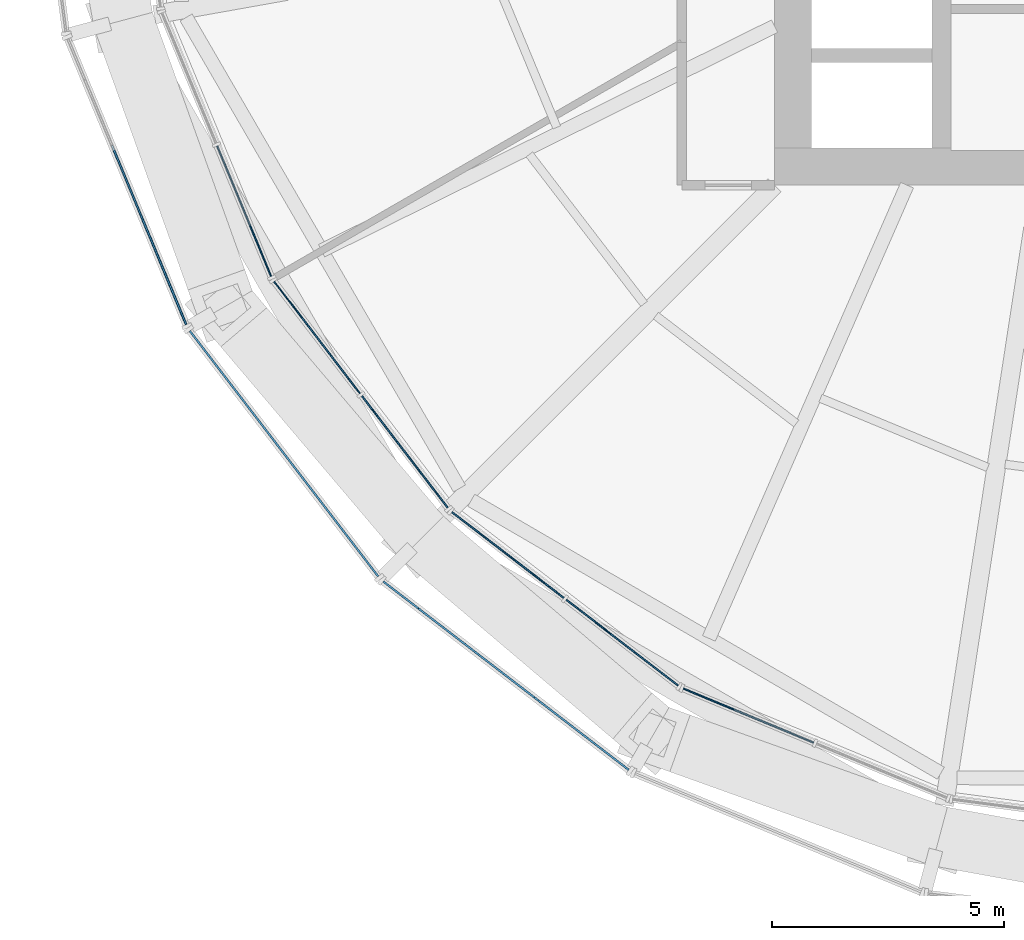
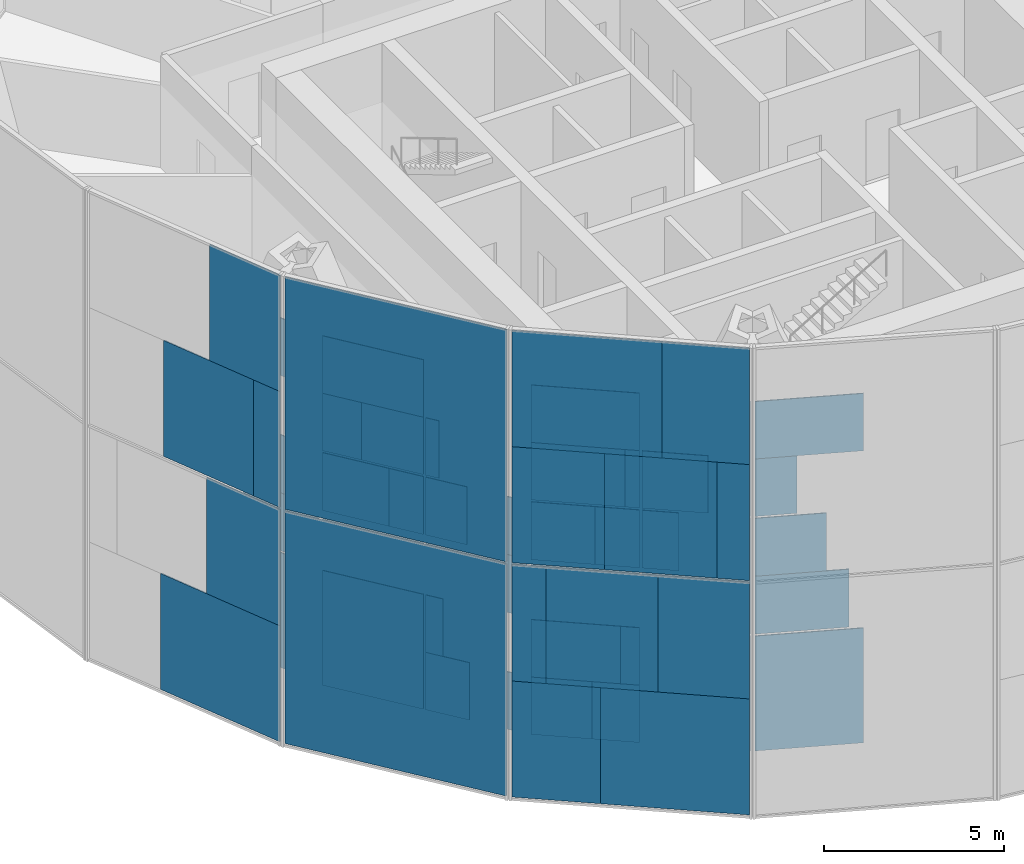
# One storey, part 11 of 26: 62 plates, 7 elements without a shape of their own.
"""IFC4 building model written with IfcOpenShell, lengths in metres."""

from ifc_helpers import new_model, si_unit, direction, frame, origin, origin_2d, place, context, subcontext, project, spatial, rectangle, extrude, material, layer, layer_set, type_object, element, aggregate, save


model = new_model("IFC4")

# Units and contexts
model_context = context("Model", 3, precision=1e-05, world=origin(), true_north=direction((0.0, 1.0)))
body_context = subcontext(model_context, "Body", "Model", "MODEL_VIEW")
ifc_project = project(units=[si_unit("LENGTHUNIT", "METRE"), si_unit("AREAUNIT", "SQUARE_METRE"), si_unit("VOLUMEUNIT", "CUBIC_METRE"), si_unit("PLANEANGLEUNIT", "RADIAN"), si_unit("MASSUNIT", "GRAM", prefix="KILO")], contexts=[model_context])

# Site, building, storey
site_placement = place(None, origin())
site = spatial("IfcSite", under=ifc_project, at=site_placement, CompositionType="ELEMENT")
building_placement = place(site_placement, origin())
building = spatial("IfcBuilding", under=site, at=building_placement, Name="Golbaran Civic Tower", CompositionType="ELEMENT")
storey_placement = place(building_placement, frame((0.0, 0.0, 69.0)))
storey = spatial("IfcBuildingStorey", under=building, at=storey_placement, Name="L16", CompositionType="ELEMENT", Elevation=69.0)

# Curtain wall, plates
ifc_material_1 = material(Name="Aluminium and glass", Category="aluminium")
curtain_wall_type_1 = type_object("IfcCurtainWallType", Name="INNER SKIN CURTAIN WALL", PredefinedType="NOTDEFINED", material=ifc_material_1)
curtain_wall_1_placement = place(storey_placement, origin())
curtain_wall_1 = element("IfcCurtainWall", 1, at=curtain_wall_1_placement, inside=storey, type_object=curtain_wall_type_1, Name="Inner skin L16 facet 14 CW1", ObjectType="INNER SKIN", PredefinedType="USERDEFINED")
ifc_material_2 = material(Name="Clear insulating glass", Category="glass")
ifc_layer_1 = layer(ifc_material_2, 0.031982421875, Name="Clear insulating glass")
ifc_layer_set_1 = layer_set([ifc_layer_1], Name="Clear insulating glass")
plate_type_1 = type_object("IfcPlateType", Name="INNER SKIN CURTAIN WALL GLAZED PANEL", PredefinedType="CURTAIN_PANEL", material=ifc_layer_set_1)
plate_1_placement = place(storey_placement, frame((-21.4375, -10.561279296875, 0.06494140625), z_axis=(0.0, 0.0, 1.0), x_axis=(0.382683432446, -0.923879532478, 0.0)))
plate_1 = element("IfcPlate", 2, at=plate_1_placement, type_object=plate_type_1, Name="CW1 panel 2.1", PredefinedType="CURTAIN_PANEL", context=body_context, shape_type="SweptSolid", body=[
    extrude(rectangle(XDim=3.0419921875, YDim=0.031982421875, at=origin_2d()), origin(), (0.0, 0.0, 1.0), 3.902587890625),
])
plate_2_placement = place(storey_placement, frame((-21.36083984375, -10.746337890625, 4.03271484375), z_axis=(0.0, 0.0, 1.0), x_axis=(0.382683432446, -0.923879532478, 0.0)))
plate_2 = element("IfcPlate", 3, at=plate_2_placement, type_object=plate_type_1, Name="CW1 panel 2.2 part 2", PredefinedType="CURTAIN_PANEL", context=body_context, shape_type="SweptSolid", body=[
    extrude(rectangle(XDim=2.64111328125, YDim=0.031982421875, at=origin_2d()), origin(), (0.0, 0.0, 1.0), 1.967529296875),
])
plate_3_placement = place(storey_placement, frame((-21.23876953125, -11.041259765625, 6.0), z_axis=(0.0, 0.0, 1.0), x_axis=(0.382683432446, -0.923879532478, 0.0)))
plate_3 = element("IfcPlate", 4, at=plate_3_placement, type_object=plate_type_1, Name="CW1 panel 2.2 part 4", PredefinedType="CURTAIN_PANEL", context=body_context, shape_type="SweptSolid", body=[
    extrude(rectangle(XDim=2.0029296875, YDim=0.031982421875, at=origin_2d()), origin(), (0.0, 0.0, 1.0), 1.967529296875),
])
plate_4_placement = place(storey_placement, frame((-21.0810546875, -11.421875, 8.032470703125), z_axis=(0.0, 0.0, 1.0), x_axis=(0.382683432446, -0.923879532478, 0.0)))
plate_4 = element("IfcPlate", 5, at=plate_4_placement, type_object=plate_type_1, Name="CW1 panel 2.3 part 2", PredefinedType="CURTAIN_PANEL", context=body_context, shape_type="SweptSolid", body=[
    extrude(rectangle(XDim=1.178955078125, YDim=0.031982421875, at=origin_2d()), origin(), (0.0, 0.0, 1.0), 1.951171875),
])

curtain_wall_2_placement = place(storey_placement, origin())
curtain_wall_2 = element("IfcCurtainWall", 6, at=curtain_wall_2_placement, inside=storey, type_object=curtain_wall_type_1, Name="Inner skin L16 facet 15 CW1", ObjectType="INNER SKIN", PredefinedType="USERDEFINED")
plate_5_placement = place(storey_placement, frame((-19.864990234375, -13.28466796875, 0.06494140625), z_axis=(0.0, 0.0, 1.0), x_axis=(0.608761428967, -0.793353340323, 0.0)))
plate_5 = element("IfcPlate", 7, at=plate_5_placement, type_object=plate_type_1, Name="CW1 panel 1.1", PredefinedType="CURTAIN_PANEL", context=body_context, shape_type="SweptSolid", body=[
    extrude(rectangle(XDim=3.0419921875, YDim=0.031982421875, at=origin_2d()), origin(), (0.0, 0.0, 1.0), 3.902587890625),
])
plate_6_placement = place(storey_placement, frame((-19.987060546875, -13.125732421875, 4.03271484375), z_axis=(0.0, 0.0, 1.0), x_axis=(0.608761428967, -0.793353340323, 0.0)))
plate_6 = element("IfcPlate", 8, at=plate_6_placement, type_object=plate_type_1, Name="CW1 panel 1.2 part 1", PredefinedType="CURTAIN_PANEL", context=body_context, shape_type="SweptSolid", body=[
    extrude(rectangle(XDim=2.64111328125, YDim=0.031982421875, at=origin_2d()), origin(), (0.0, 0.0, 1.0), 1.967529296875),
])
plate_7_placement = place(storey_placement, frame((-20.18115234375, -12.87255859375, 6.0), z_axis=(0.0, 0.0, 1.0), x_axis=(0.608761428967, -0.793353340323, 0.0)))
plate_7 = element("IfcPlate", 9, at=plate_7_placement, type_object=plate_type_1, Name="CW1 panel 1.2 part 3", PredefinedType="CURTAIN_PANEL", context=body_context, shape_type="SweptSolid", body=[
    extrude(rectangle(XDim=2.0029296875, YDim=0.031982421875, at=origin_2d()), origin(), (0.0, 0.0, 1.0), 1.967529296875),
])
plate_8_placement = place(storey_placement, frame((-20.43212890625, -12.545654296875, 8.032470703125), z_axis=(0.0, 0.0, 1.0), x_axis=(0.608761428967, -0.793353340323, 0.0)))
plate_8 = element("IfcPlate", 10, at=plate_8_placement, type_object=plate_type_1, Name="CW1 panel 1.3 part 1", PredefinedType="CURTAIN_PANEL", context=body_context, shape_type="SweptSolid", body=[
    extrude(rectangle(XDim=1.178955078125, YDim=0.031982421875, at=origin_2d()), origin(), (0.0, 0.0, 1.0), 1.951171875),
])
plate_9_placement = place(storey_placement, frame((-18.494873046875, -15.0703125, 0.06494140625), z_axis=(0.0, 0.0, 1.0), x_axis=(0.608761428967, -0.793353340323, 0.0)))
plate_9 = element("IfcPlate", 11, at=plate_9_placement, type_object=plate_type_1, Name="CW1 panel 2.1 part 1", PredefinedType="CURTAIN_PANEL", context=body_context, shape_type="SweptSolid", body=[
    extrude(rectangle(XDim=1.3291015625, YDim=0.031982421875, at=origin_2d()), origin(), (0.0, 0.0, 1.0), 1.951171875),
])
plate_10_placement = place(storey_placement, frame((-18.73779296875, -14.753662109375, 2.016357421875), z_axis=(0.0, 0.0, 1.0), x_axis=(0.608761428967, -0.793353340323, 0.0)))
plate_10 = element("IfcPlate", 12, at=plate_10_placement, type_object=plate_type_1, Name="CW1 panel 2.1 part 3", PredefinedType="CURTAIN_PANEL", context=body_context, shape_type="SweptSolid", body=[
    extrude(rectangle(XDim=0.531005859375, YDim=0.031982421875, at=origin_2d()), origin(), (0.0, 0.0, 1.0), 1.951171875),
])
plate_11_placement = place(storey_placement, frame((-17.349609375, -16.56298828125, 4.03271484375), z_axis=(0.0, 0.0, 1.0), x_axis=(0.608761428967, -0.793353340323, 0.0)))
plate_11 = element("IfcPlate", 13, at=plate_11_placement, type_object=plate_type_1, Name="CW1 panel 2.2 part 2", PredefinedType="CURTAIN_PANEL", context=body_context, shape_type="SweptSolid", body=[
    extrude(rectangle(XDim=0.991943359375, YDim=0.031982421875, at=origin_2d()), origin(), (0.0, 0.0, 1.0), 1.967529296875),
])
plate_12_placement = place(storey_placement, frame((-17.594970703125, -16.2431640625, 6.0), z_axis=(0.0, 0.0, 1.0), x_axis=(0.608761428967, -0.793353340323, 0.0)))
plate_12 = element("IfcPlate", 14, at=plate_12_placement, type_object=plate_type_1, Name="CW1 panel 2.2 part 4", PredefinedType="CURTAIN_PANEL", context=body_context, shape_type="SweptSolid", body=[
    extrude(rectangle(XDim=1.798095703125, YDim=0.031982421875, at=origin_2d()), origin(), (0.0, 0.0, 1.0), 1.967529296875),
])

curtain_wall_3_placement = place(storey_placement, origin())
curtain_wall_3 = element("IfcCurtainWall", 15, at=curtain_wall_3_placement, inside=storey, type_object=curtain_wall_type_1, Name="Inner skin L16 facet 16 CW1", ObjectType="INNER SKIN", PredefinedType="USERDEFINED")
plate_13_placement = place(storey_placement, frame((-15.0703125, -18.494873046875, 0.06494140625), z_axis=(0.0, 0.0, 1.0), x_axis=(0.793353340323, -0.608761428967, 0.0)))
plate_13 = element("IfcPlate", 16, at=plate_13_placement, type_object=plate_type_1, Name="CW1 panel 1.1 part 2", PredefinedType="CURTAIN_PANEL", context=body_context, shape_type="SweptSolid", body=[
    extrude(rectangle(XDim=1.3291015625, YDim=0.031982421875, at=origin_2d()), origin(), (0.0, 0.0, 1.0), 1.951171875),
])
plate_14_placement = place(storey_placement, frame((-14.753662109375, -18.73779296875, 2.016357421875), z_axis=(0.0, 0.0, 1.0), x_axis=(0.793353340323, -0.608761428967, 0.0)))
plate_14 = element("IfcPlate", 17, at=plate_14_placement, type_object=plate_type_1, Name="CW1 panel 1.1 part 4", PredefinedType="CURTAIN_PANEL", context=body_context, shape_type="SweptSolid", body=[
    extrude(rectangle(XDim=0.531005859375, YDim=0.031982421875, at=origin_2d()), origin(), (0.0, 0.0, 1.0), 1.951171875),
])
plate_15_placement = place(storey_placement, frame((-16.56298828125, -17.349609375, 4.03271484375), z_axis=(0.0, 0.0, 1.0), x_axis=(0.793353340323, -0.608761428967, 0.0)))
plate_15 = element("IfcPlate", 18, at=plate_15_placement, type_object=plate_type_1, Name="CW1 panel 1.2 part 1", PredefinedType="CURTAIN_PANEL", context=body_context, shape_type="SweptSolid", body=[
    extrude(rectangle(XDim=0.991943359375, YDim=0.031982421875, at=origin_2d()), origin(), (0.0, 0.0, 1.0), 1.967529296875),
])
plate_16_placement = place(storey_placement, frame((-16.242919921875, -17.59521484375, 6.0), z_axis=(0.0, 0.0, 1.0), x_axis=(0.793353340323, -0.608761428967, 0.0)))
plate_16 = element("IfcPlate", 19, at=plate_16_placement, type_object=plate_type_1, Name="CW1 panel 1.2 part 3", PredefinedType="CURTAIN_PANEL", context=body_context, shape_type="SweptSolid", body=[
    extrude(rectangle(XDim=1.799072265625, YDim=0.031982421875, at=origin_2d()), origin(), (0.0, 0.0, 1.0), 1.967529296875),
])
plate_17_placement = place(storey_placement, frame((-15.912841796875, -17.848388671875, 8.032470703125), z_axis=(0.0, 0.0, 1.0), x_axis=(0.793353340323, -0.608761428967, 0.0)))
plate_17 = element("IfcPlate", 20, at=plate_17_placement, type_object=plate_type_1, Name="CW1 panel 1.3 part 1", PredefinedType="CURTAIN_PANEL", context=body_context, shape_type="SweptSolid", body=[
    extrude(rectangle(XDim=2.631103515625, YDim=0.031982421875, at=origin_2d()), origin(), (0.0, 0.0, 1.0), 1.951171875),
])
plate_18_placement = place(storey_placement, frame((-15.749755859375, -17.9736328125, 9.98388671875), z_axis=(0.0, 0.0, 1.0), x_axis=(0.793353340323, -0.608761428967, 0.0)))
plate_18 = element("IfcPlate", 21, at=plate_18_placement, type_object=plate_type_1, Name="CW1 panel 1.3 part 3", PredefinedType="CURTAIN_PANEL", context=body_context, shape_type="SweptSolid", body=[
    extrude(rectangle(XDim=3.0419921875, YDim=0.031982421875, at=origin_2d()), origin(), (0.0, 0.0, 1.0), 1.951171875),
])
plate_19_placement = place(storey_placement, frame((-13.28466796875, -19.864990234375, 0.06494140625), z_axis=(0.0, 0.0, 1.0), x_axis=(0.793353340323, -0.608761428967, 0.0)))
plate_19 = element("IfcPlate", 22, at=plate_19_placement, type_object=plate_type_1, Name="CW1 panel 2.1", PredefinedType="CURTAIN_PANEL", context=body_context, shape_type="SweptSolid", body=[
    extrude(rectangle(XDim=3.0419921875, YDim=0.031982421875, at=origin_2d()), origin(), (0.0, 0.0, 1.0), 3.902587890625),
])
plate_20_placement = place(storey_placement, frame((-13.125732421875, -19.987060546875, 4.03271484375), z_axis=(0.0, 0.0, 1.0), x_axis=(0.793353340323, -0.608761428967, 0.0)))
plate_20 = element("IfcPlate", 23, at=plate_20_placement, type_object=plate_type_1, Name="CW1 panel 2.2 part 2", PredefinedType="CURTAIN_PANEL", context=body_context, shape_type="SweptSolid", body=[
    extrude(rectangle(XDim=2.64111328125, YDim=0.031982421875, at=origin_2d()), origin(), (0.0, 0.0, 1.0), 1.967529296875),
])
plate_21_placement = place(storey_placement, frame((-12.87255859375, -20.18115234375, 6.0), z_axis=(0.0, 0.0, 1.0), x_axis=(0.793353340323, -0.608761428967, 0.0)))
plate_21 = element("IfcPlate", 24, at=plate_21_placement, type_object=plate_type_1, Name="CW1 panel 2.2 part 4", PredefinedType="CURTAIN_PANEL", context=body_context, shape_type="SweptSolid", body=[
    extrude(rectangle(XDim=2.0029296875, YDim=0.031982421875, at=origin_2d()), origin(), (0.0, 0.0, 1.0), 1.967529296875),
])
plate_22_placement = place(storey_placement, frame((-12.545654296875, -20.43212890625, 8.032470703125), z_axis=(0.0, 0.0, 1.0), x_axis=(0.793353340323, -0.608761428967, 0.0)))
plate_22 = element("IfcPlate", 25, at=plate_22_placement, type_object=plate_type_1, Name="CW1 panel 2.3 part 2", PredefinedType="CURTAIN_PANEL", context=body_context, shape_type="SweptSolid", body=[
    extrude(rectangle(XDim=1.178955078125, YDim=0.031982421875, at=origin_2d()), origin(), (0.0, 0.0, 1.0), 1.951171875),
])

curtain_wall_4_placement = place(storey_placement, origin())
curtain_wall_4 = element("IfcCurtainWall", 26, at=curtain_wall_4_placement, inside=storey, type_object=curtain_wall_type_1, Name="Inner skin L16 facet 17 CW1", ObjectType="INNER SKIN", PredefinedType="USERDEFINED")
plate_23_placement = place(storey_placement, frame((-10.561279296875, -21.4375, 0.06494140625), z_axis=(0.0, 0.0, 1.0), x_axis=(0.923879532478, -0.382683432446, 0.0)))
plate_23 = element("IfcPlate", 27, at=plate_23_placement, type_object=plate_type_1, Name="CW1 panel 1.1", PredefinedType="CURTAIN_PANEL", context=body_context, shape_type="SweptSolid", body=[
    extrude(rectangle(XDim=3.0419921875, YDim=0.031982421875, at=origin_2d()), origin(), (0.0, 0.0, 1.0), 3.902587890625),
])
plate_24_placement = place(storey_placement, frame((-10.74658203125, -21.360595703125, 4.03271484375), z_axis=(0.0, 0.0, 1.0), x_axis=(0.923879532478, -0.382683432446, 0.0)))
plate_24 = element("IfcPlate", 28, at=plate_24_placement, type_object=plate_type_1, Name="CW1 panel 1.2 part 1", PredefinedType="CURTAIN_PANEL", context=body_context, shape_type="SweptSolid", body=[
    extrude(rectangle(XDim=2.64111328125, YDim=0.031982421875, at=origin_2d()), origin(), (0.0, 0.0, 1.0), 1.967529296875),
])
plate_25_placement = place(storey_placement, frame((-11.041259765625, -21.238525390625, 6.0), z_axis=(0.0, 0.0, 1.0), x_axis=(0.923879532478, -0.382683432446, 0.0)))
plate_25 = element("IfcPlate", 29, at=plate_25_placement, type_object=plate_type_1, Name="CW1 panel 1.2 part 3", PredefinedType="CURTAIN_PANEL", context=body_context, shape_type="SweptSolid", body=[
    extrude(rectangle(XDim=2.0029296875, YDim=0.031982421875, at=origin_2d()), origin(), (0.0, 0.0, 1.0), 1.967529296875),
])
plate_26_placement = place(storey_placement, frame((-11.421875, -21.0810546875, 8.032470703125), z_axis=(0.0, 0.0, 1.0), x_axis=(0.923879532478, -0.382683432446, 0.0)))
plate_26 = element("IfcPlate", 30, at=plate_26_placement, type_object=plate_type_1, Name="CW1 panel 1.3 part 1", PredefinedType="CURTAIN_PANEL", context=body_context, shape_type="SweptSolid", body=[
    extrude(rectangle(XDim=1.178955078125, YDim=0.031982421875, at=origin_2d()), origin(), (0.0, 0.0, 1.0), 1.951171875),
])

# Plate
ifc_material_3 = material(Name="Aluminium faced opaque infill panel", Category="aluminium")
ifc_layer_2 = layer(ifc_material_3, 0.031982421875, Name="Aluminium faced opaque infill panel")
ifc_layer_set_2 = layer_set([ifc_layer_2], Name="Aluminium faced opaque infill panel")
plate_type_2 = type_object("IfcPlateType", Name="INNER SKIN CURTAIN WALL OPAQUE INFILL PANEL", PredefinedType="CURTAIN_PANEL", material=ifc_layer_set_2)
plate_27_placement = place(storey_placement, frame((-21.4375, -10.561279296875, 9.98388671875), z_axis=(0.0, 0.0, 1.0), x_axis=(0.382683432446, -0.923879532478, 0.0)))
plate_27 = element("IfcPlate", 31, at=plate_27_placement, type_object=plate_type_2, Name="CW1 infill panel 2.3 part 3", PredefinedType="CURTAIN_PANEL", context=body_context, shape_type="SweptSolid", body=[
    extrude(rectangle(XDim=3.0419921875, YDim=0.031982421875, at=origin_2d()), origin(), (0.0, 0.0, 1.0), 1.951171875),
])

aggregate(curtain_wall_1, [plate_1, plate_2, plate_3, plate_4, plate_27])

plate_28_placement = place(storey_placement, frame((-19.06103515625, -14.33251953125, 4.03271484375), z_axis=(0.0, 0.0, 1.0), x_axis=(0.608761428967, -0.793353340323, 0.0)))
plate_28 = element("IfcPlate", 32, at=plate_28_placement, type_object=plate_type_2, Name="CW1 infill panel 1.2 part 2", PredefinedType="CURTAIN_PANEL", context=body_context, shape_type="SweptSolid", body=[
    extrude(rectangle(XDim=0.401123046875, YDim=0.031982421875, at=origin_2d()), origin(), (0.0, 0.0, 1.0), 1.967529296875),
])

plate_29_placement = place(storey_placement, frame((-19.25537109375, -14.079345703125, 6.0), z_axis=(0.0, 0.0, 1.0), x_axis=(0.608761428967, -0.793353340323, 0.0)))
plate_29 = element("IfcPlate", 33, at=plate_29_placement, type_object=plate_type_2, Name="CW1 infill panel 1.2 part 4", PredefinedType="CURTAIN_PANEL", context=body_context, shape_type="SweptSolid", body=[
    extrude(rectangle(XDim=1.0390625, YDim=0.031982421875, at=origin_2d()), origin(), (0.0, 0.0, 1.0), 1.967529296875),
])

plate_30_placement = place(storey_placement, frame((-19.506103515625, -13.75244140625, 8.032470703125), z_axis=(0.0, 0.0, 1.0), x_axis=(0.608761428967, -0.793353340323, 0.0)))
plate_30 = element("IfcPlate", 34, at=plate_30_placement, type_object=plate_type_2, Name="CW1 infill panel 1.3 part 2", PredefinedType="CURTAIN_PANEL", context=body_context, shape_type="SweptSolid", body=[
    extrude(rectangle(XDim=1.863037109375, YDim=0.031982421875, at=origin_2d()), origin(), (0.0, 0.0, 1.0), 1.951171875),
])

plate_31_placement = place(storey_placement, frame((-19.864990234375, -13.28466796875, 9.98388671875), z_axis=(0.0, 0.0, 1.0), x_axis=(0.608761428967, -0.793353340323, 0.0)))
plate_31 = element("IfcPlate", 35, at=plate_31_placement, type_object=plate_type_2, Name="CW1 infill panel 1.3 part 3", PredefinedType="CURTAIN_PANEL", context=body_context, shape_type="SweptSolid", body=[
    extrude(rectangle(XDim=3.0419921875, YDim=0.031982421875, at=origin_2d()), origin(), (0.0, 0.0, 1.0), 1.951171875),
])

plate_32_placement = place(storey_placement, frame((-17.569091796875, -16.27685546875, 0.06494140625), z_axis=(0.0, 0.0, 1.0), x_axis=(0.608761428967, -0.793353340323, 0.0)))
plate_32 = element("IfcPlate", 36, at=plate_32_placement, type_object=plate_type_2, Name="CW1 infill panel 2.1 part 2", PredefinedType="CURTAIN_PANEL", context=body_context, shape_type="SweptSolid", body=[
    extrude(rectangle(XDim=1.713134765625, YDim=0.031982421875, at=origin_2d()), origin(), (0.0, 0.0, 1.0), 1.951171875),
])

plate_33_placement = place(storey_placement, frame((-18.275390625, -15.356201171875, 4.03271484375), z_axis=(0.0, 0.0, 1.0), x_axis=(0.608761428967, -0.793353340323, 0.0)))
plate_33 = element("IfcPlate", 37, at=plate_33_placement, type_object=plate_type_2, Name="CW1 infill panel 2.2 part 1", PredefinedType="CURTAIN_PANEL", context=body_context, shape_type="SweptSolid", body=[
    extrude(rectangle(XDim=2.050048828125, YDim=0.031982421875, at=origin_2d()), origin(), (0.0, 0.0, 1.0), 1.967529296875),
])

plate_34_placement = place(storey_placement, frame((-18.520751953125, -15.03662109375, 6.0), z_axis=(0.0, 0.0, 1.0), x_axis=(0.608761428967, -0.793353340323, 0.0)))
plate_34 = element("IfcPlate", 38, at=plate_34_placement, type_object=plate_type_2, Name="CW1 infill panel 2.2 part 3", PredefinedType="CURTAIN_PANEL", context=body_context, shape_type="SweptSolid", body=[
    extrude(rectangle(XDim=1.243896484375, YDim=0.031982421875, at=origin_2d()), origin(), (0.0, 0.0, 1.0), 1.967529296875),
])

plate_35_placement = place(storey_placement, frame((-18.7744140625, -14.7060546875, 8.032470703125), z_axis=(0.0, 0.0, 1.0), x_axis=(0.608761428967, -0.793353340323, 0.0)))
plate_35 = element("IfcPlate", 39, at=plate_35_placement, type_object=plate_type_2, Name="CW1 infill panel 2.3 part 1", PredefinedType="CURTAIN_PANEL", context=body_context, shape_type="SweptSolid", body=[
    extrude(rectangle(XDim=0.410888671875, YDim=0.031982421875, at=origin_2d()), origin(), (0.0, 0.0, 1.0), 1.951171875),
])

aggregate(curtain_wall_2, [plate_5, plate_6, plate_28, plate_7, plate_29, plate_8, plate_30, plate_31, plate_9, plate_32, plate_10, plate_33, plate_11, plate_34, plate_12, plate_35])

plate_36_placement = place(storey_placement, frame((-16.27685546875, -17.569091796875, 0.06494140625), z_axis=(0.0, 0.0, 1.0), x_axis=(0.793353340323, -0.608761428967, 0.0)))
plate_36 = element("IfcPlate", 40, at=plate_36_placement, type_object=plate_type_2, Name="CW1 infill panel 1.1 part 1", PredefinedType="CURTAIN_PANEL", context=body_context, shape_type="SweptSolid", body=[
    extrude(rectangle(XDim=1.712890625, YDim=0.031982421875, at=origin_2d()), origin(), (0.0, 0.0, 1.0), 1.951171875),
])

plate_37_placement = place(storey_placement, frame((-15.96044921875, -17.81201171875, 2.016357421875), z_axis=(0.0, 0.0, 1.0), x_axis=(0.793353340323, -0.608761428967, 0.0)))
plate_37 = element("IfcPlate", 41, at=plate_37_placement, type_object=plate_type_2, Name="CW1 infill panel 1.1 part 3", PredefinedType="CURTAIN_PANEL", context=body_context, shape_type="SweptSolid", body=[
    extrude(rectangle(XDim=2.510986328125, YDim=0.031982421875, at=origin_2d()), origin(), (0.0, 0.0, 1.0), 1.951171875),
])

plate_38_placement = place(storey_placement, frame((-15.356201171875, -18.275390625, 4.03271484375), z_axis=(0.0, 0.0, 1.0), x_axis=(0.793353340323, -0.608761428967, 0.0)))
plate_38 = element("IfcPlate", 42, at=plate_38_placement, type_object=plate_type_2, Name="CW1 infill panel 1.2 part 2", PredefinedType="CURTAIN_PANEL", context=body_context, shape_type="SweptSolid", body=[
    extrude(rectangle(XDim=2.050048828125, YDim=0.031982421875, at=origin_2d()), origin(), (0.0, 0.0, 1.0), 1.967529296875),
])

plate_39_placement = place(storey_placement, frame((-15.0361328125, -18.521240234375, 6.0), z_axis=(0.0, 0.0, 1.0), x_axis=(0.793353340323, -0.608761428967, 0.0)))
plate_39 = element("IfcPlate", 43, at=plate_39_placement, type_object=plate_type_2, Name="CW1 infill panel 1.2 part 4", PredefinedType="CURTAIN_PANEL", context=body_context, shape_type="SweptSolid", body=[
    extrude(rectangle(XDim=1.2431640625, YDim=0.031982421875, at=origin_2d()), origin(), (0.0, 0.0, 1.0), 1.967529296875),
])

plate_40_placement = place(storey_placement, frame((-14.7060546875, -18.7744140625, 8.032470703125), z_axis=(0.0, 0.0, 1.0), x_axis=(0.793353340323, -0.608761428967, 0.0)))
plate_40 = element("IfcPlate", 44, at=plate_40_placement, type_object=plate_type_2, Name="CW1 infill panel 1.3 part 2", PredefinedType="CURTAIN_PANEL", context=body_context, shape_type="SweptSolid", body=[
    extrude(rectangle(XDim=0.4111328125, YDim=0.031982421875, at=origin_2d()), origin(), (0.0, 0.0, 1.0), 1.951171875),
])

plate_41_placement = place(storey_placement, frame((-14.33251953125, -19.06103515625, 4.03271484375), z_axis=(0.0, 0.0, 1.0), x_axis=(0.793353340323, -0.608761428967, 0.0)))
plate_41 = element("IfcPlate", 45, at=plate_41_placement, type_object=plate_type_2, Name="CW1 infill panel 2.2 part 1", PredefinedType="CURTAIN_PANEL", context=body_context, shape_type="SweptSolid", body=[
    extrude(rectangle(XDim=0.40087890625, YDim=0.031982421875, at=origin_2d()), origin(), (0.0, 0.0, 1.0), 1.967529296875),
])

plate_42_placement = place(storey_placement, frame((-14.079345703125, -19.25537109375, 6.0), z_axis=(0.0, 0.0, 1.0), x_axis=(0.793353340323, -0.608761428967, 0.0)))
plate_42 = element("IfcPlate", 46, at=plate_42_placement, type_object=plate_type_2, Name="CW1 infill panel 2.2 part 3", PredefinedType="CURTAIN_PANEL", context=body_context, shape_type="SweptSolid", body=[
    extrude(rectangle(XDim=1.0390625, YDim=0.031982421875, at=origin_2d()), origin(), (0.0, 0.0, 1.0), 1.967529296875),
])

plate_43_placement = place(storey_placement, frame((-13.75244140625, -19.506103515625, 8.032470703125), z_axis=(0.0, 0.0, 1.0), x_axis=(0.793353340323, -0.608761428967, 0.0)))
plate_43 = element("IfcPlate", 47, at=plate_43_placement, type_object=plate_type_2, Name="CW1 infill panel 2.3 part 1", PredefinedType="CURTAIN_PANEL", context=body_context, shape_type="SweptSolid", body=[
    extrude(rectangle(XDim=1.863037109375, YDim=0.031982421875, at=origin_2d()), origin(), (0.0, 0.0, 1.0), 1.951171875),
])

plate_44_placement = place(storey_placement, frame((-13.28466796875, -19.864990234375, 9.98388671875), z_axis=(0.0, 0.0, 1.0), x_axis=(0.793353340323, -0.608761428967, 0.0)))
plate_44 = element("IfcPlate", 48, at=plate_44_placement, type_object=plate_type_2, Name="CW1 infill panel 2.3 part 3", PredefinedType="CURTAIN_PANEL", context=body_context, shape_type="SweptSolid", body=[
    extrude(rectangle(XDim=3.0419921875, YDim=0.031982421875, at=origin_2d()), origin(), (0.0, 0.0, 1.0), 1.951171875),
])

aggregate(curtain_wall_3, [plate_36, plate_13, plate_37, plate_14, plate_15, plate_38, plate_16, plate_39, plate_17, plate_40, plate_18, plate_19, plate_41, plate_20, plate_42, plate_21, plate_43, plate_22, plate_44])

plate_45_placement = place(storey_placement, frame((-10.561279296875, -21.4375, 9.98388671875), z_axis=(0.0, 0.0, 1.0), x_axis=(0.923879532478, -0.382683432446, 0.0)))
plate_45 = element("IfcPlate", 49, at=plate_45_placement, type_object=plate_type_2, Name="CW1 infill panel 1.3 part 3", PredefinedType="CURTAIN_PANEL", context=body_context, shape_type="SweptSolid", body=[
    extrude(rectangle(XDim=3.0419921875, YDim=0.031982421875, at=origin_2d()), origin(), (0.0, 0.0, 1.0), 1.951171875),
])

aggregate(curtain_wall_4, [plate_23, plate_24, plate_25, plate_26, plate_45])

# Curtain wall, plates
curtain_wall_type_2 = type_object("IfcCurtainWallType", Name="OUTER SKIN TERRACOTTA SCREEN", PredefinedType="NOTDEFINED", material=ifc_material_1)
curtain_wall_5_placement = place(storey_placement, origin())
curtain_wall_5 = element("IfcCurtainWall", 50, at=curtain_wall_5_placement, inside=storey, type_object=curtain_wall_type_2, Name="Outer skin L16 facet 14 CW3", ObjectType="OUTER SKIN", PredefinedType="USERDEFINED")
ifc_material_4 = material(Name="Clear laminated glass", Category="glass")
ifc_layer_3 = layer(ifc_material_4, 0.0400390625, Name="Clear laminated glass")
ifc_layer_set_3 = layer_set([ifc_layer_3], Name="Clear laminated glass")
plate_type_3 = type_object("IfcPlateType", Name="OUTER SKIN CLEAR GLASS PANEL", PredefinedType="CURTAIN_PANEL", material=ifc_layer_set_3)
plate_46_placement = place(storey_placement, frame((-23.48681640625, -11.074951171875, -0.6298828125), z_axis=(0.0, 0.0, 1.0), x_axis=(0.382683432478, -0.923879532465, 0.0)))
plate_46 = element("IfcPlate", 51, at=plate_46_placement, type_object=plate_type_3, Name="CW3 panel 1.1 part 2", PredefinedType="CURTAIN_PANEL", context=body_context, shape_type="SweptSolid", body=[
    extrude(rectangle(XDim=4.181396484375, YDim=0.0400390625, at=origin_2d()), origin(), (0.0, 0.0, 1.0), 3.93994140625),
])
plate_47_placement = place(storey_placement, frame((-23.177978515625, -11.820556640625, 3.31005859375), z_axis=(0.0, 0.0, 1.0), x_axis=(0.382683432478, -0.923879532465, 0.0)))
plate_47 = element("IfcPlate", 52, at=plate_47_placement, type_object=plate_type_3, Name="CW3 panel 1.1 part 5", PredefinedType="CURTAIN_PANEL", context=body_context, shape_type="SweptSolid", body=[
    extrude(rectangle(XDim=2.5673828125, YDim=0.0400390625, at=origin_2d()), origin(), (0.0, 0.0, 1.0), 3.93994140625),
])
plate_48_placement = place(storey_placement, frame((-22.86279296875, -12.58154296875, 7.330078125), z_axis=(0.0, 0.0, 1.0), x_axis=(0.382683432478, -0.923879532465, 0.0)))
plate_48 = element("IfcPlate", 53, at=plate_48_placement, type_object=plate_type_3, Name="CW3 panel 1.2 part 3", PredefinedType="CURTAIN_PANEL", context=body_context, shape_type="SweptSolid", body=[
    extrude(rectangle(XDim=0.92041015625, YDim=0.0400390625, at=origin_2d()), origin(), (0.0, 0.0, 1.0), 3.93994140625),
])

curtain_wall_6_placement = place(storey_placement, origin())
curtain_wall_6 = element("IfcCurtainWall", 54, at=curtain_wall_6_placement, inside=storey, type_object=curtain_wall_type_2, Name="Outer skin L16 facet 16 CW3", ObjectType="OUTER SKIN", PredefinedType="USERDEFINED")
plate_49_placement = place(storey_placement, frame((-14.802734375, -21.334716796875, -0.6298828125), z_axis=(0.0, 0.0, 1.0), x_axis=(0.793353340366, -0.608761428912, 0.0)))
plate_49 = element("IfcPlate", 55, at=plate_49_placement, type_object=plate_type_3, Name="CW3 panel 1.1 part 2", PredefinedType="CURTAIN_PANEL", context=body_context, shape_type="SweptSolid", body=[
    extrude(rectangle(XDim=4.181396484375, YDim=0.0400390625, at=origin_2d()), origin(), (0.0, 0.0, 1.0), 3.93994140625),
])
plate_50_placement = place(storey_placement, frame((-18.056396484375, -18.837890625, 3.31005859375), z_axis=(0.0, 0.0, 1.0), x_axis=(0.793353340366, -0.608761428912, 0.0)))
plate_50 = element("IfcPlate", 56, at=plate_50_placement, type_object=plate_type_3, Name="CW3 panel 1.1 part 3", PredefinedType="CURTAIN_PANEL", context=body_context, shape_type="SweptSolid", body=[
    extrude(rectangle(XDim=0.955078125, YDim=0.0400390625, at=origin_2d()), origin(), (0.0, 0.0, 1.0), 3.93994140625),
])
plate_51_placement = place(storey_placement, frame((-14.162353515625, -21.825927734375, 3.31005859375), z_axis=(0.0, 0.0, 1.0), x_axis=(0.793353340366, -0.608761428912, 0.0)))
plate_51 = element("IfcPlate", 57, at=plate_51_placement, type_object=plate_type_3, Name="CW3 panel 1.1 part 5", PredefinedType="CURTAIN_PANEL", context=body_context, shape_type="SweptSolid", body=[
    extrude(rectangle(XDim=2.5673828125, YDim=0.0400390625, at=origin_2d()), origin(), (0.0, 0.0, 1.0), 3.93994140625),
])
plate_52_placement = place(storey_placement, frame((-17.404541015625, -19.338134765625, 7.330078125), z_axis=(0.0, 0.0, 1.0), x_axis=(0.793353340366, -0.608761428912, 0.0)))
plate_52 = element("IfcPlate", 58, at=plate_52_placement, type_object=plate_type_3, Name="CW3 panel 1.2 part 1", PredefinedType="CURTAIN_PANEL", context=body_context, shape_type="SweptSolid", body=[
    extrude(rectangle(XDim=2.597900390625, YDim=0.0400390625, at=origin_2d()), origin(), (0.0, 0.0, 1.0), 3.93994140625),
])
plate_53_placement = place(storey_placement, frame((-13.509033203125, -22.3271484375, 7.330078125), z_axis=(0.0, 0.0, 1.0), x_axis=(0.793353340366, -0.608761428912, 0.0)))
plate_53 = element("IfcPlate", 59, at=plate_53_placement, type_object=plate_type_3, Name="CW3 panel 1.2 part 3", PredefinedType="CURTAIN_PANEL", context=body_context, shape_type="SweptSolid", body=[
    extrude(rectangle(XDim=0.92041015625, YDim=0.0400390625, at=origin_2d()), origin(), (0.0, 0.0, 1.0), 3.93994140625),
])
plate_54_placement = place(storey_placement, frame((-16.765625, -19.828369140625, 11.27001953125), z_axis=(0.0, 0.0, 1.0), x_axis=(0.793353340366, -0.608761428912, 0.0)))
plate_54 = element("IfcPlate", 60, at=plate_54_placement, type_object=plate_type_3, Name="CW3 panel 1.2 part 4", PredefinedType="CURTAIN_PANEL", context=body_context, shape_type="SweptSolid", body=[
    extrude(rectangle(XDim=4.208984375, YDim=0.0400390625, at=origin_2d()), origin(), (0.0, 0.0, 1.0), 3.93994140625),
])

# Plate
ifc_material_5 = material(Name="Terracotta baguette screen", Category="masonry")
ifc_layer_4 = layer(ifc_material_5, 0.0400390625, Name="Terracotta baguette screen")
ifc_layer_set_4 = layer_set([ifc_layer_4], Name="Terracotta baguette screen")
plate_type_4 = type_object("IfcPlateType", Name="OUTER SKIN TERRACOTTA INFILL PANEL", PredefinedType="CURTAIN_PANEL", material=ifc_layer_set_4)
plate_55_placement = place(storey_placement, frame((-23.641845703125, -10.70068359375, 7.330078125), z_axis=(0.0, 0.0, 1.0), x_axis=(0.382683432478, -0.923879532465, 0.0)))
plate_55 = element("IfcPlate", 61, at=plate_55_placement, type_object=plate_type_4, Name="CW3 infill panel 1.2 part 2", PredefinedType="CURTAIN_PANEL", context=body_context, shape_type="SweptSolid", body=[
    extrude(rectangle(XDim=3.15087890625, YDim=0.0400390625, at=origin_2d()), origin(), (0.0, 0.0, 1.0), 3.93994140625),
])

plate_56_placement = place(storey_placement, frame((-23.157470703125, -11.8701171875, 11.27001953125), z_axis=(0.0, 0.0, 1.0), x_axis=(0.382683432478, -0.923879532465, 0.0)))
plate_56 = element("IfcPlate", 62, at=plate_56_placement, type_object=plate_type_4, Name="CW3 infill panel 1.2 part 5", PredefinedType="CURTAIN_PANEL", context=body_context, shape_type="SweptSolid", body=[
    extrude(rectangle(XDim=2.46044921875, YDim=0.0400390625, at=origin_2d()), origin(), (0.0, 0.0, 1.0), 3.93994140625),
])

aggregate(curtain_wall_5, [plate_46, plate_47, plate_55, plate_48, plate_56])

plate_57_placement = place(storey_placement, frame((-17.4482421875, -19.3046875, -0.6298828125), z_axis=(0.0, 0.0, 1.0), x_axis=(0.793353340366, -0.608761428912, 0.0)))
plate_57 = element("IfcPlate", 63, at=plate_57_placement, type_object=plate_type_4, Name="CW3 infill panel 1.1 part 1", PredefinedType="CURTAIN_PANEL", context=body_context, shape_type="SweptSolid", body=[
    extrude(rectangle(XDim=2.488037109375, YDim=0.0400390625, at=origin_2d()), origin(), (0.0, 0.0, 1.0), 3.93994140625),
])

plate_58_placement = place(storey_placement, frame((-16.42919921875, -20.086669921875, 3.31005859375), z_axis=(0.0, 0.0, 1.0), x_axis=(0.793353340366, -0.608761428912, 0.0)))
plate_58 = element("IfcPlate", 64, at=plate_58_placement, type_object=plate_type_4, Name="CW3 infill panel 1.1 part 4", PredefinedType="CURTAIN_PANEL", context=body_context, shape_type="SweptSolid", body=[
    extrude(rectangle(XDim=3.14697265625, YDim=0.0400390625, at=origin_2d()), origin(), (0.0, 0.0, 1.0), 3.93994140625),
])

plate_59_placement = place(storey_placement, frame((-15.1240234375, -21.087890625, 7.330078125), z_axis=(0.0, 0.0, 1.0), x_axis=(0.793353340366, -0.608761428912, 0.0)))
plate_59 = element("IfcPlate", 65, at=plate_59_placement, type_object=plate_type_4, Name="CW3 infill panel 1.2 part 2", PredefinedType="CURTAIN_PANEL", context=body_context, shape_type="SweptSolid", body=[
    extrude(rectangle(XDim=3.15087890625, YDim=0.0400390625, at=origin_2d()), origin(), (0.0, 0.0, 1.0), 3.93994140625),
])

plate_60_placement = place(storey_placement, frame((-14.119873046875, -21.8583984375, 11.27001953125), z_axis=(0.0, 0.0, 1.0), x_axis=(0.793353340366, -0.608761428912, 0.0)))
plate_60 = element("IfcPlate", 66, at=plate_60_placement, type_object=plate_type_4, Name="CW3 infill panel 1.2 part 5", PredefinedType="CURTAIN_PANEL", context=body_context, shape_type="SweptSolid", body=[
    extrude(rectangle(XDim=2.46044921875, YDim=0.0400390625, at=origin_2d()), origin(), (0.0, 0.0, 1.0), 3.93994140625),
])

aggregate(curtain_wall_6, [plate_57, plate_49, plate_50, plate_58, plate_51, plate_52, plate_59, plate_53, plate_54, plate_60])

# Curtain wall, plates
curtain_wall_7_placement = place(storey_placement, origin())
curtain_wall_7 = element("IfcCurtainWall", 67, at=curtain_wall_7_placement, inside=storey, type_object=curtain_wall_type_2, Name="Outer skin L16 facet 15 CW3", ObjectType="OUTER SKIN", PredefinedType="USERDEFINED")
ifc_layer_5 = layer(ifc_material_5, 0.0400390625, Name="Terracotta baguette screen")
ifc_layer_set_5 = layer_set([ifc_layer_5], Name="Terracotta baguette screen")
plate_type_5 = type_object("IfcPlateType", Name="OUTER SKIN TERRACOTTA SCREEN PANEL", PredefinedType="CURTAIN_PANEL", material=ifc_layer_set_5)
plate_61_placement = place(storey_placement, frame((-20.577392578125, -15.78955078125, -0.6298828125), z_axis=(0.0, 0.0, 1.0), x_axis=(0.608761428912, -0.793353340366, 0.0)))
plate_61 = element("IfcPlate", 68, at=plate_61_placement, type_object=plate_type_5, Name="CW3 terracotta screen panel 1.1", PredefinedType="CURTAIN_PANEL", context=body_context, shape_type="SweptSolid", body=[
    extrude(rectangle(XDim=6.66943359375, YDim=0.0400390625, at=origin_2d()), origin(), (0.0, 0.0, 1.0), 7.8798828125),
])
plate_62_placement = place(storey_placement, frame((-20.577392578125, -15.78955078125, 7.330078125), z_axis=(0.0, 0.0, 1.0), x_axis=(0.608761428912, -0.793353340366, 0.0)))
plate_62 = element("IfcPlate", 69, at=plate_62_placement, type_object=plate_type_5, Name="CW3 terracotta screen panel 1.2", PredefinedType="CURTAIN_PANEL", context=body_context, shape_type="SweptSolid", body=[
    extrude(rectangle(XDim=6.66943359375, YDim=0.0400390625, at=origin_2d()), origin(), (0.0, 0.0, 1.0), 7.8798828125),
])
aggregate(curtain_wall_7, [plate_61, plate_62])

save(model, "model.ifc")
